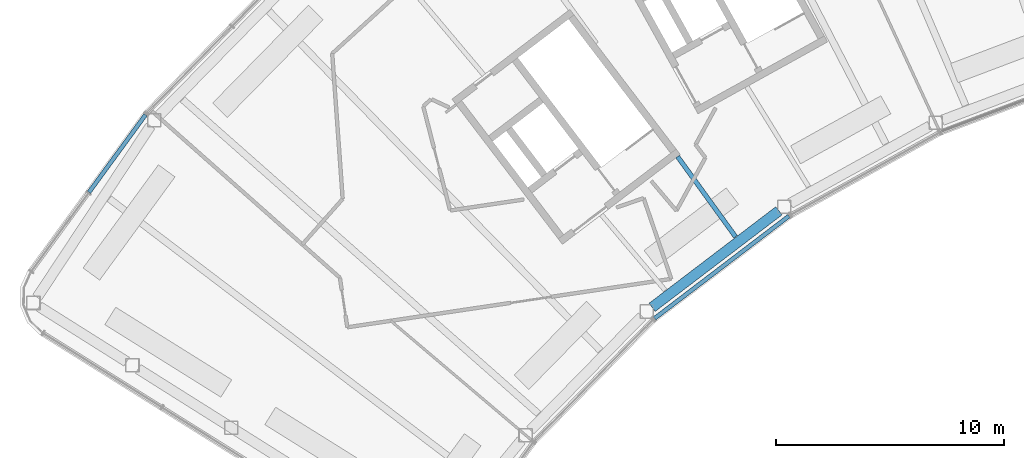
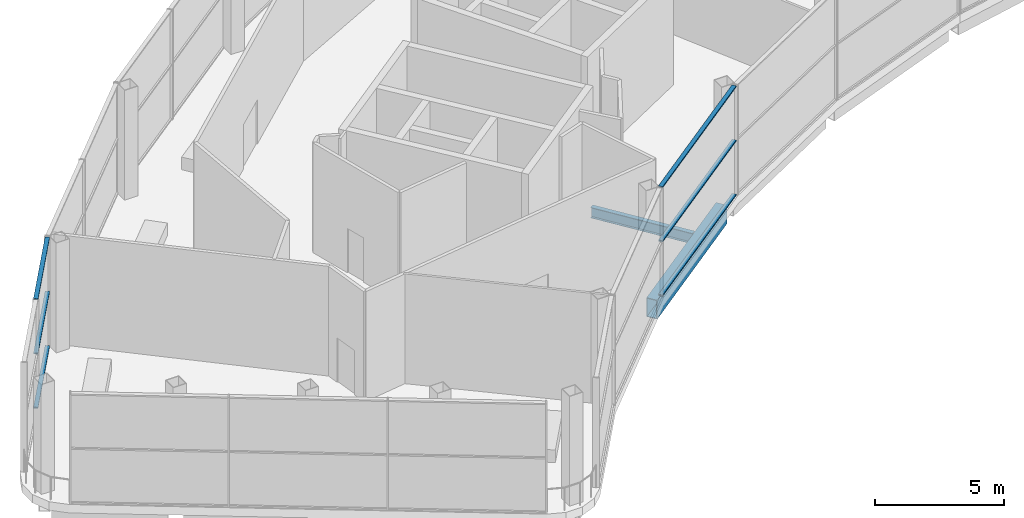
# One storey, part 7 of 44: 6 members, 2 beams, 2 elements without a shape of their own.
"""IFC4 building model written with IfcOpenShell, lengths in metres."""

import ifcopenshell
import ifcopenshell.guid

model = None  # the IFC model being written
_history = None  # IfcOwnerHistory: only IFC2X3 demands one
_inside = {}  # id of a spatial element -> (the spatial element, [elements in it])
_under = {}  # id of a project, library or spatial element -> (it, [spatial elements below it])
_declared = {}  # id of a project -> (the project, [libraries it declares])
_typed = {}  # id of a type object -> (the type object, [elements of that type])
_made_of = {}  # id of a material, layer set ... -> (it, [elements and type objects made of it])


def new_model(schema):
    """Start an empty IFC model of exactly this schema.

    Asked for "IFC4X3", IfcOpenShell would pick the latest addendum, in which some entities
    have other attributes; the version numbers below select the first issue.
    IFC2X3 requires an IfcOwnerHistory on every rooted entity: one is made here for all.
    """
    global model, _history
    if schema == "IFC4X3":
        model = ifcopenshell.file(schema_version=(4, 3, 0, 0))
    else:
        model = ifcopenshell.file(schema=schema)
    _inside.clear()
    _under.clear()
    _declared.clear()
    _typed.clear()
    _made_of.clear()
    _history = None
    if model.schema == "IFC2X3":
        org = make("IfcOrganization", Name="unknown")
        user = make(
            "IfcPersonAndOrganization",
            ThePerson=make("IfcPerson", FamilyName="unknown"),
            TheOrganization=org,
        )
        app = make(
            "IfcApplication",
            ApplicationDeveloper=org,
            Version="unknown",
            ApplicationFullName="unknown",
            ApplicationIdentifier="unknown",
        )
        _history = make(
            "IfcOwnerHistory",
            OwningUser=user,
            OwningApplication=app,
            ChangeAction="ADDED",
            CreationDate=0,
        )
    return model


def make(cls, **values):
    """One entity of the class cls with the attributes given. An attribute that is None is left unset."""
    return model.create_entity(
        cls, **{name: value for name, value in values.items() if value is not None}
    )


def rooted(cls, **values):
    """An entity with a GlobalId (a new one), such as an element, a storey or a relation."""
    return make(cls, GlobalId=ifcopenshell.guid.new(), OwnerHistory=_history, **values)


def si_unit(unit_type, name, prefix=None):
    """IfcSIUnit, for example si_unit("LENGTHUNIT", "METRE", prefix="MILLI")."""
    return make("IfcSIUnit", UnitType=unit_type, Prefix=prefix, Name=name)


def assignment(units):
    """IfcUnitAssignment: the units of a project."""
    return None if units is None else make("IfcUnitAssignment", Units=units)


def point(xyz):
    """IfcCartesianPoint."""
    return None if xyz is None else make("IfcCartesianPoint", Coordinates=xyz)


def direction(xyz):
    """IfcDirection."""
    return None if xyz is None else make("IfcDirection", DirectionRatios=xyz)


def frame(location, z_axis=None, x_axis=None):
    """IfcAxis2Placement3D, a coordinate frame: its origin and axes. An axis left out is left unset."""
    return make(
        "IfcAxis2Placement3D",
        Location=point(location),
        Axis=direction(z_axis),
        RefDirection=direction(x_axis),
    )


def frame_2d(location, x_axis=None):
    """IfcAxis2Placement2D, a coordinate frame in the plane: its origin and x axis."""
    return make(
        "IfcAxis2Placement2D", Location=point(location), RefDirection=direction(x_axis)
    )


def origin():
    """The frame at (0, 0, 0) with its axes left unset."""
    return frame((0.0, 0.0, 0.0))


def origin_2d():
    """The frame at (0, 0) in the plane with its x axis left unset."""
    return frame_2d((0.0, 0.0))


def place(relative_to, where):
    """IfcLocalPlacement: puts the frame where relative to a parent placement (None: the world)."""
    return make(
        "IfcLocalPlacement", PlacementRelTo=relative_to, RelativePlacement=where
    )


def context(
    kind, dimensions, precision=None, world=None, true_north=None, identifier=None
):
    """IfcGeometricRepresentationContext, for example the 3D "Model" context."""
    return make(
        "IfcGeometricRepresentationContext",
        ContextIdentifier=identifier,
        ContextType=kind,
        CoordinateSpaceDimension=dimensions,
        Precision=precision,
        WorldCoordinateSystem=world,
        TrueNorth=true_north,
    )


def subcontext(parent, identifier, kind, view, scale=None):
    """IfcGeometricRepresentationSubContext, for example "Body" below "Model"."""
    return make(
        "IfcGeometricRepresentationSubContext",
        ContextIdentifier=identifier,
        ContextType=kind,
        ParentContext=parent,
        TargetScale=scale,
        TargetView=view,
    )


def project(units=None, contexts=None):
    """IfcProject with its units and contexts."""
    return rooted(
        "IfcProject",
        Name="project",
        RepresentationContexts=contexts,
        UnitsInContext=assignment(units),
    )


def spatial(cls, under=None, at=None, **own):
    """A site, building, storey or space (cls), placed at a placement, below another one or the project."""
    s = rooted(cls, ObjectPlacement=at, **own)
    if under is not None:
        _under.setdefault(under.id(), (under, []))[1].append(s)
    return s


def profile(cls, at=None, kind="AREA", **sizes):
    """A parametric profile (cls). Its sizes go by their IFC names, for example OverallWidth=200.0."""
    return make(cls, ProfileType=kind, Position=at, **sizes)


def hollow_rectangle(**sizes):
    """IfcRectangleHollowProfileDef."""
    return profile("IfcRectangleHollowProfileDef", **sizes)


def i_section(**sizes):
    """IfcIShapeProfileDef."""
    return profile("IfcIShapeProfileDef", **sizes)


def extrude(swept, where, along, depth):
    """IfcExtrudedAreaSolid: the profile swept, set in the frame where, extruded along a direction by depth."""
    return make(
        "IfcExtrudedAreaSolid",
        SweptArea=swept,
        Position=where,
        ExtrudedDirection=direction(along),
        Depth=depth,
    )


def shape(context_of_items, identifier, shape_type, items):
    """IfcShapeRepresentation: the items that make up one representation, for example the "Body"."""
    return make(
        "IfcShapeRepresentation",
        ContextOfItems=context_of_items,
        RepresentationIdentifier=identifier,
        RepresentationType=shape_type,
        Items=items,
    )


def material(Name=None, Category=None):
    """IfcMaterial."""
    return make("IfcMaterial", Name=Name, Category=Category)


def layer(
    of_material, thickness, ventilated=None, Name=None, Category=None, Priority=None
):
    """IfcMaterialLayer: one layer of a wall or slab, of a material (None: an air gap)."""
    return make(
        "IfcMaterialLayer",
        Material=of_material,
        LayerThickness=thickness,
        IsVentilated=ventilated,
        Name=Name,
        Category=Category,
        Priority=Priority,
    )


def layer_set(layers, Name=None):
    """IfcMaterialLayerSet."""
    return make("IfcMaterialLayerSet", MaterialLayers=layers, LayerSetName=Name)


def material_profile(
    of_material, cross_section, Name=None, Category=None, Priority=None
):
    """IfcMaterialProfile: a cross section and its material."""
    return make(
        "IfcMaterialProfile",
        Name=Name,
        Material=of_material,
        Profile=cross_section,
        Priority=Priority,
        Category=Category,
    )


def profile_set(profiles, Name=None, composite=None):
    """IfcMaterialProfileSet."""
    return make(
        "IfcMaterialProfileSet",
        Name=Name,
        MaterialProfiles=profiles,
        CompositeProfile=composite,
    )


def made_of(thing, what):
    """Note that an element or type object is made of a material, layer set ...; save() writes the relation."""
    if what is not None:
        _made_of.setdefault(what.id(), (what, []))[1].append(thing)
    return thing


def type_object(cls, material=None, **own):
    """A type object (cls), such as IfcWallType, which elements share."""
    return made_of(rooted(cls, **own), material)


def element(
    cls,
    number,
    at=None,
    inside=None,
    cuts=None,
    type_object=None,
    material=None,
    context=None,
    identifier="Body",
    shape_type=None,
    held_by="IfcProductDefinitionShape",
    body=None,
    shapes=None,
    **own,
):
    """One element of the class cls, such as IfcWall. Its Tag is "e" and its number.

    at: its placement. inside: the storey or other place that contains it. cuts: it is an
    opening in that element (IfcRelVoidsElement). A single representation is given by context,
    identifier, shape_type and body (its items); several are given by shapes. held_by: the class
    of the entity that holds the representations. save() writes the other relations.
    """
    e = rooted(cls, Tag="e%d" % number, ObjectPlacement=at, **own)
    if body is not None:
        shapes = [shape(context, identifier, shape_type, body)]
    if shapes is not None:
        e.Representation = make(held_by, Representations=shapes)
    if inside is not None:
        _inside.setdefault(inside.id(), (inside, []))[1].append(e)
    if cuts is not None:
        rooted(
            "IfcRelVoidsElement", RelatingBuildingElement=cuts, RelatedOpeningElement=e
        )
    if type_object is not None:
        _typed.setdefault(type_object.id(), (type_object, []))[1].append(e)
    return made_of(e, material)


def aggregate(whole, parts):
    """IfcRelAggregates: a whole, such as a stair, and the parts it consists of."""
    return rooted("IfcRelAggregates", RelatingObject=whole, RelatedObjects=parts)


def save(model, path):
    """Write the relations noted so far, then the file.

    IfcRelAggregates (storeys below a building ...), IfcRelContainedInSpatialStructure (elements
    in a storey), IfcRelDefinesByType, IfcRelAssociatesMaterial and IfcRelDeclares: one each for
    every whole, place, type object, material and project.
    """
    for whole, parts in _under.values():
        aggregate(whole, parts)
    for where, things in _inside.values():
        rooted(
            "IfcRelContainedInSpatialStructure",
            RelatedElements=things,
            RelatingStructure=where,
        )
    for kind, things in _typed.values():
        rooted("IfcRelDefinesByType", RelatedObjects=things, RelatingType=kind)
    for what, things in _made_of.values():
        rooted("IfcRelAssociatesMaterial", RelatedObjects=things, RelatingMaterial=what)
    for by, libraries in _declared.values():
        rooted("IfcRelDeclares", RelatingContext=by, RelatedDefinitions=libraries)
    model.write(path)


model = new_model("IFC4")

# Units and contexts
model_context = context("Model", 3, precision=1e-05, world=origin(), true_north=direction((0.0, 1.0)))
body_context = subcontext(model_context, "Body", "Model", "MODEL_VIEW")
ifc_project = project(units=[si_unit("LENGTHUNIT", "METRE"), si_unit("AREAUNIT", "SQUARE_METRE"), si_unit("VOLUMEUNIT", "CUBIC_METRE"), si_unit("PLANEANGLEUNIT", "RADIAN"), si_unit("MASSUNIT", "GRAM", prefix="KILO")], contexts=[model_context])

# Site, building, storey
site_placement = place(None, origin())
site = spatial("IfcSite", under=ifc_project, at=site_placement, CompositionType="ELEMENT")
building_placement = place(site_placement, origin())
building = spatial("IfcBuilding", under=site, at=building_placement, Name="Tuul Gate Civic Tower", CompositionType="ELEMENT")
storey_placement = place(building_placement, frame((0.0, 0.0, 354.60009765625)))
storey = spatial("IfcBuildingStorey", under=building, at=storey_placement, Name="Observation level 2", CompositionType="ELEMENT", Elevation=354.60009765625)

# Curtain wall, members
ifc_material_1 = material(Name="Stainless steel", Category="steel")
ifc_layer = layer(ifc_material_1, 0.199951171875)
ifc_layer_set = layer_set([ifc_layer], Name="Stainless steel")
curtain_wall_type = type_object("IfcCurtainWallType", Name="Curtain wall CW4", PredefinedType="NOTDEFINED", material=ifc_layer_set)
curtain_wall_1_placement = place(storey_placement, origin())
curtain_wall_1 = element("IfcCurtainWall", 1, at=curtain_wall_1_placement, inside=storey, type_object=curtain_wall_type, Name="Curtain wall CW4", PredefinedType="NOTDEFINED")
ifc_material_2 = material(Name="Stainless steel", Category="steel")
ifc_material_profile_1 = material_profile(ifc_material_2, hollow_rectangle(XDim=0.179931640625, YDim=0.06005859375, WallThickness=0.006103515625, at=origin_2d()), Name="CW4 transom")
ifc_profile_set_1 = profile_set([ifc_material_profile_1], Name="Stainless steel")
member_type = type_object("IfcMemberType", Name="CW4 transom", PredefinedType="USERDEFINED", material=ifc_profile_set_1)
member_1_placement = place(storey_placement, frame((-54.559326171875, -12.04443359375, 0.02978515625), z_axis=(-0.589749140604, -0.807586497631, 0.0), x_axis=(0.807586497631, -0.589749140604, 0.0)))
member_1 = element("IfcMember", 2, at=member_1_placement, type_object=member_type, Name="Transom", ObjectType="TRANSOM", PredefinedType="USERDEFINED", context=body_context, shape_type="SweptSolid", body=[
    extrude(hollow_rectangle(XDim=0.179931640625, YDim=0.06005859375, WallThickness=0.006103515625, at=origin_2d()), origin(), (0.0, 0.0, 1.0), 4.211669921875),
])
member_2_placement = place(storey_placement, frame((-54.559326171875, -12.04443359375, 2.599853515625), z_axis=(-0.589749140604, -0.807586497631, 0.0), x_axis=(0.807586497631, -0.589749140604, 0.0)))
member_2 = element("IfcMember", 3, at=member_2_placement, type_object=member_type, Name="Transom", ObjectType="TRANSOM", PredefinedType="USERDEFINED", context=body_context, shape_type="SweptSolid", body=[
    extrude(hollow_rectangle(XDim=0.179931640625, YDim=0.06005859375, WallThickness=0.006103515625, at=origin_2d()), origin(), (0.0, 0.0, 1.0), 4.211669921875),
])
member_3_placement = place(storey_placement, frame((-54.559326171875, -12.04443359375, 5.169921875), z_axis=(-0.589749140604, -0.807586497631, 0.0), x_axis=(0.807586497631, -0.589749140604, 0.0)))
member_3 = element("IfcMember", 4, at=member_3_placement, type_object=member_type, Name="Transom", ObjectType="TRANSOM", PredefinedType="USERDEFINED", context=body_context, shape_type="SweptSolid", body=[
    extrude(hollow_rectangle(XDim=0.179931640625, YDim=0.06005859375, WallThickness=0.006103515625, at=origin_2d()), origin(), (0.0, 0.0, 1.0), 4.211669921875),
])
aggregate(curtain_wall_1, [member_1, member_2, member_3])

curtain_wall_2_placement = place(storey_placement, origin())
curtain_wall_2 = element("IfcCurtainWall", 5, at=curtain_wall_2_placement, inside=storey, type_object=curtain_wall_type, Name="Curtain wall CW4", PredefinedType="NOTDEFINED")
member_4_placement = place(storey_placement, frame((-32.228271484375, -20.9775390625, 0.02978515625), z_axis=(0.795580003279, 0.605848544095, 0.0), x_axis=(-0.605848544095, 0.795580003279, 0.0)))
member_4 = element("IfcMember", 6, at=member_4_placement, type_object=member_type, Name="Transom", ObjectType="TRANSOM", PredefinedType="USERDEFINED", context=body_context, shape_type="SweptSolid", body=[
    extrude(hollow_rectangle(XDim=0.179931640625, YDim=0.06005859375, WallThickness=0.006103515625, at=origin_2d()), origin(), (0.0, 0.0, 1.0), 7.40673828125),
])
member_5_placement = place(storey_placement, frame((-32.228271484375, -20.9775390625, 2.599853515625), z_axis=(0.795580003279, 0.605848544095, 0.0), x_axis=(-0.605848544095, 0.795580003279, 0.0)))
member_5 = element("IfcMember", 7, at=member_5_placement, type_object=member_type, Name="Transom", ObjectType="TRANSOM", PredefinedType="USERDEFINED", context=body_context, shape_type="SweptSolid", body=[
    extrude(hollow_rectangle(XDim=0.179931640625, YDim=0.06005859375, WallThickness=0.006103515625, at=origin_2d()), origin(), (0.0, 0.0, 1.0), 7.40673828125),
])
member_6_placement = place(storey_placement, frame((-32.228271484375, -20.9775390625, 5.169921875), z_axis=(0.795580003279, 0.605848544095, 0.0), x_axis=(-0.605848544095, 0.795580003279, 0.0)))
member_6 = element("IfcMember", 8, at=member_6_placement, type_object=member_type, Name="Transom", ObjectType="TRANSOM", PredefinedType="USERDEFINED", context=body_context, shape_type="SweptSolid", body=[
    extrude(hollow_rectangle(XDim=0.179931640625, YDim=0.06005859375, WallThickness=0.006103515625, at=origin_2d()), origin(), (0.0, 0.0, 1.0), 7.40673828125),
])
aggregate(curtain_wall_2, [member_4, member_5, member_6])

# Beams
ifc_material_3 = material(Name="Steel S355", Category="steel")
ifc_material_profile_2 = material_profile(ifc_material_3, i_section(OverallWidth=0.199951171875, OverallDepth=0.5, WebThickness=0.010009765625, FlangeThickness=0.01611328125, at=origin_2d()), Name="PG500x200x10x16")
ifc_profile_set_2 = profile_set([ifc_material_profile_2], Name="Steel S355")
beam_type_1 = type_object("IfcBeamType", Name="STR-FLOOR BEAM-PG500x200x10x16", PredefinedType="BEAM", material=ifc_profile_set_2)
beam_1_placement = place(storey_placement, frame((-28.677734375, -17.393310546875, -0.650146484375), z_axis=(-0.586074177431, 0.81025740265, 0.0), x_axis=(-0.81025740265, -0.586074177431, 0.0)))
element("IfcBeam", 9, at=beam_1_placement, inside=storey, type_object=beam_type_1, Name="Floor beam", PredefinedType="BEAM", context=body_context, shape_type="SweptSolid", body=[
    extrude(i_section(OverallWidth=0.199951171875, OverallDepth=0.5, WebThickness=0.010009765625, FlangeThickness=0.01611328125, at=origin_2d()), origin(), (0.0, 0.0, 1.0), 4.33642578125),
])
ifc_material_4 = material(Name="Steel S355", Category="steel")
ifc_material_profile_3 = material_profile(ifc_material_4, hollow_rectangle(XDim=0.449951171875, YDim=0.89990234375, WallThickness=0.02490234375, at=origin_2d()), Name="BOX900x450x25")
ifc_profile_set_3 = profile_set([ifc_material_profile_3], Name="Steel S355")
beam_type_2 = type_object("IfcBeamType", Name="STR-SPANDREL BEAM-BOX900x450x25", PredefinedType="BEAM", material=ifc_profile_set_3)
beam_2_placement = place(storey_placement, frame((-32.33642578125, -20.4931640625, -0.85009765625), z_axis=(0.795633676081, 0.605778056293, 0.0), x_axis=(-0.605778056293, 0.795633676081, 0.0)))
element("IfcBeam", 10, at=beam_2_placement, inside=storey, type_object=beam_type_2, Name="Spandrel beam", PredefinedType="BEAM", context=body_context, shape_type="SweptSolid", body=[
    extrude(hollow_rectangle(XDim=0.449951171875, YDim=0.89990234375, WallThickness=0.02490234375, at=origin_2d()), origin(), (0.0, 0.0, 1.0), 6.99169921875),
])

save(model, "model.ifc")
